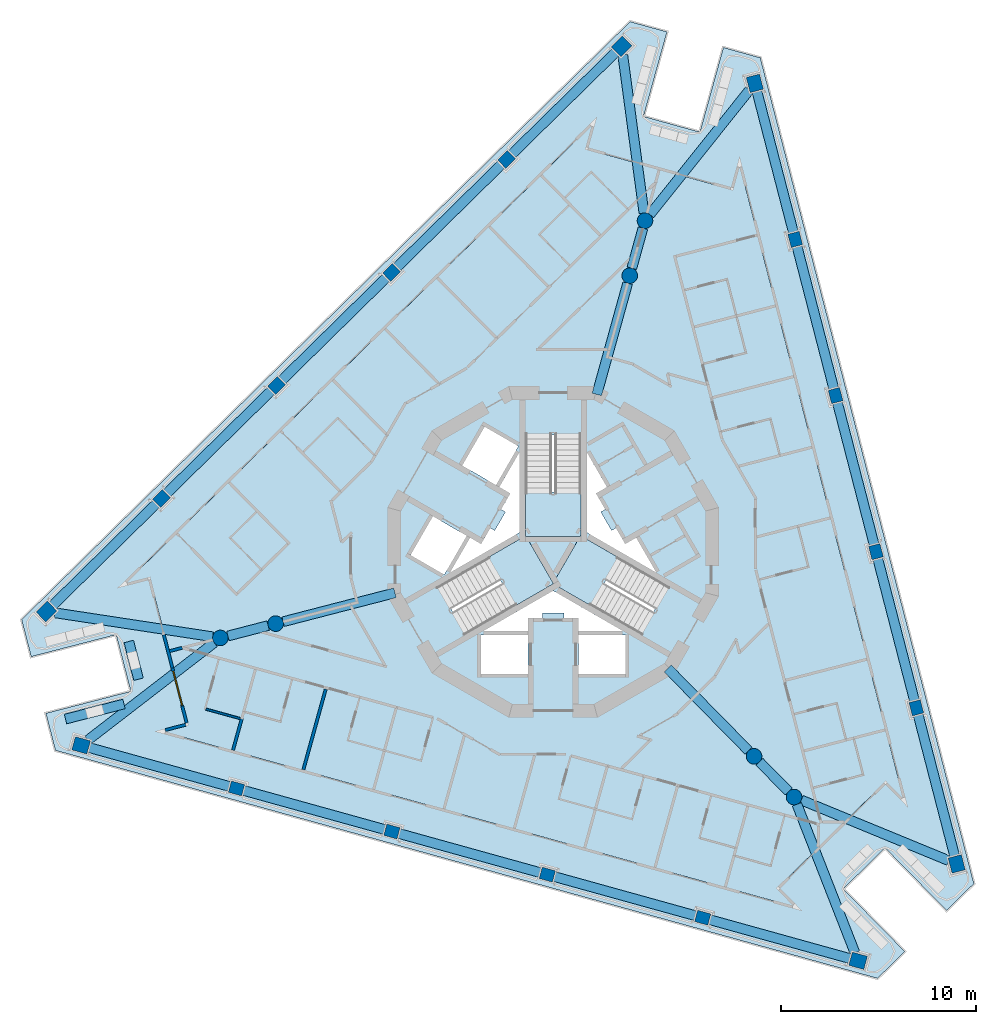
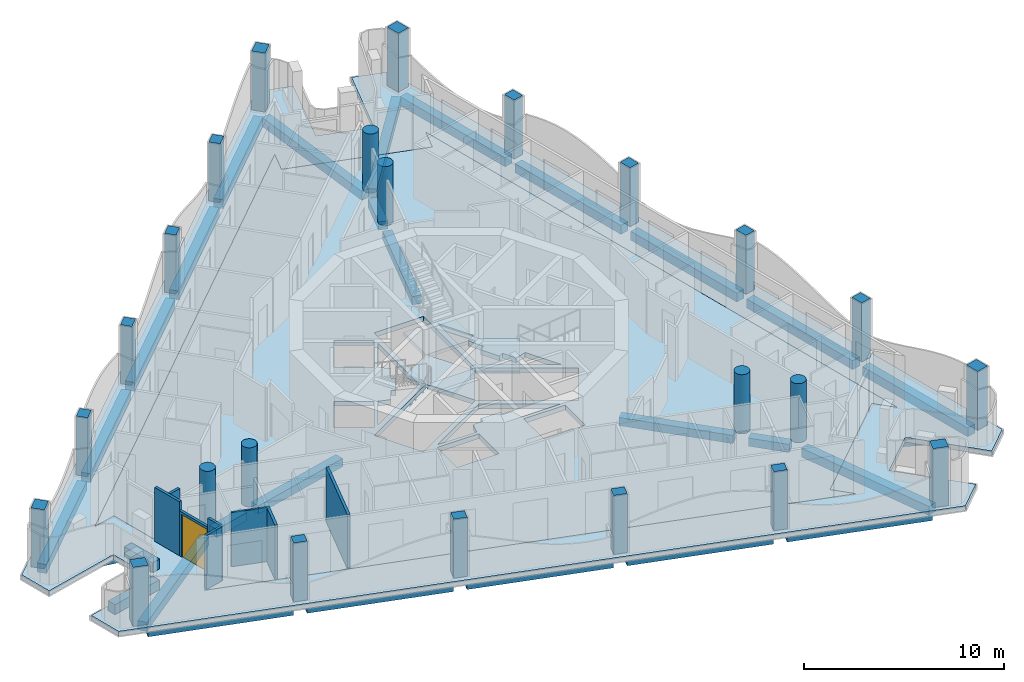
# One storey, part 1 of 15: 27 beams, 24 columns, 10 walls, 6 slabs, 1 door, 1 opening, 3 elements without a shape of their own.
"""IFC4 building model written with IfcOpenShell, lengths in metres."""

from ifc_helpers import new_model, si_unit, direction, frame, frame_2d, origin, origin_2d, place, context, subcontext, project, spatial, polyline, rectangle, circle, outline, extrude, material, layer, layer_set, material_profile, profile_set, type_object, element, fill, aggregate, save


model = new_model("IFC4")

# Units and contexts
model_context = context("Model", 3, precision=1e-05, world=origin(), true_north=direction((0.0, 1.0)))
body_context = subcontext(model_context, "Body", "Model", "MODEL_VIEW")
ifc_project = project(units=[si_unit("LENGTHUNIT", "METRE"), si_unit("AREAUNIT", "SQUARE_METRE"), si_unit("VOLUMEUNIT", "CUBIC_METRE"), si_unit("PLANEANGLEUNIT", "RADIAN"), si_unit("MASSUNIT", "GRAM", prefix="KILO")], contexts=[model_context])

# Site, building, storey
site_placement = place(None, origin())
site = spatial("IfcSite", under=ifc_project, at=site_placement, CompositionType="ELEMENT")
building_placement = place(site_placement, origin())
building = spatial("IfcBuilding", under=site, at=building_placement, Name="Trine Commons Tower", CompositionType="ELEMENT")
storey_placement = place(building_placement, frame((0.0, 0.0, 256.5)))
storey = spatial("IfcBuildingStorey", under=building, at=storey_placement, Name="L67", CompositionType="ELEMENT", Elevation=256.5)

# Columns
ifc_material_1 = material(Name="Concrete C50/60", Category="concrete")
ifc_material_profile_1 = material_profile(ifc_material_1, rectangle(XDim=0.699951171875, YDim=0.60009765625, at=origin_2d()), Name="RC 700x600")
ifc_profile_set_1 = profile_set([ifc_material_profile_1], Name="Concrete C50/60")
column_type_1 = type_object("IfcColumnType", Name="RC column 700x600, C50/60", PredefinedType="COLUMN", material=ifc_profile_set_1)
for number, where, z_axis, x_axis, name in (
    (1, (87.668701171875, 43.74072265625, 0.0), (0.0, 0.0, 1.0), (-0.963630453209, 0.267238376078, 0.0), "Column PC7-02 L67"),
    (2, (79.70068359375, 45.950439453125, 0.0), (0.0, 0.0, 1.0), (-0.963630453209, 0.267238376078, 0.0), "Column PC7-03 L67"),
    (3, (71.73291015625, 48.16015625, 0.0), (0.0, 0.0, 1.0), (-0.963630453209, 0.267238376078, 0.0), "Column PC7-04 L67"),
    (4, (63.764892578125, 50.369873046875, 0.0), (0.0, 0.0, 1.0), (-0.963630453209, 0.267238376078, 0.0), "Column PC7-05 L67"),
    (5, (59.91943359375, 65.23828125, 0.0), (0.0, 0.0, 1.0), (0.713250449154, 0.7009092643, 0.0), "Column PC7-08 L67"),
    (6, (65.817138671875, 71.033935546875, 0.0), (0.0, 0.0, 1.0), (0.713250449154, 0.7009092643, 0.0), "Column PC7-09 L67"),
    (7, (71.71484375, 76.82958984375, 0.0), (0.0, 0.0, 1.0), (0.713250449154, 0.7009092643, 0.0), "Column PC7-10 L67"),
    (8, (77.612548828125, 82.625244140625, 0.0), (0.0, 0.0, 1.0), (0.713250449154, 0.7009092643, 0.0), "Column PC7-11 L67"),
    (9, (92.41162109375, 78.52099609375, 0.0), (0.0, 0.0, 1.0), (-0.250380004054, 0.968147640378, 0.0), "Column PC7-14 L67"),
    (10, (94.48193359375, 70.515625, 0.0), (0.0, 0.0, 1.0), (-0.250380004054, 0.968147640378, 0.0), "Column PC7-15 L67"),
    (11, (96.55224609375, 62.51025390625, 0.0), (0.0, 0.0, 1.0), (-0.250380004054, 0.968147640378, 0.0), "Column PC7-16 L67"),
    (12, (98.622802734375, 54.5048828125, 0.0), (0.0, 0.0, 1.0), (-0.250380004054, 0.968147640378, 0.0), "Column PC7-17 L67"),
):
    element("IfcColumn", number, at=place(storey_placement, frame(where, z_axis=z_axis, x_axis=x_axis)), inside=storey, type_object=column_type_1, Name=name, PredefinedType="COLUMN", context=body_context, shape_type="SweptSolid", body=[
        extrude(rectangle(XDim=0.699951171875, YDim=0.60009765625, at=origin_2d()), origin(), (0.0, 0.0, 1.0), 3.60009765625),
    ])
ifc_material_profile_2 = material_profile(ifc_material_1, rectangle(XDim=0.800048828125, YDim=0.699951171875, at=origin_2d()), Name="RC 800x700")
ifc_profile_set_2 = profile_set([ifc_material_profile_2], Name="Concrete C50/60")
column_type_2 = type_object("IfcColumnType", Name="RC column 800x700, C50/60", PredefinedType="COLUMN", material=ifc_profile_set_2)
for number, where, z_axis, x_axis, name in (
    (13, (95.63671875, 41.531005859375, 0.0), (0.0, 0.0, 1.0), (-0.963630453209, 0.267238376078, 0.0), "Column PC7-01 L67"),
    (14, (55.796875, 52.57958984375, 0.0), (0.0, 0.0, 1.0), (-0.963630453209, 0.267238376078, 0.0), "Column PC7-06 L67"),
    (15, (54.02197265625, 59.442626953125, 0.0), (0.0, 0.0, 1.0), (0.713250449154, 0.7009092643, 0.0), "Column PC7-07 L67"),
    (16, (83.51025390625, 88.4208984375, 0.0), (0.0, 0.0, 1.0), (0.713250449154, 0.7009092643, 0.0), "Column PC7-12 L67"),
    (17, (90.34130859375, 86.5263671875, 0.0), (0.0, 0.0, 1.0), (-0.250380004054, 0.968147640378, 0.0), "Column PC7-13 L67"),
    (18, (100.693115234375, 46.499755859375, 0.0), (0.0, 0.0, 1.0), (-0.250380004054, 0.968147640378, 0.0), "Column PC7-18 L67"),
):
    element("IfcColumn", number, at=place(storey_placement, frame(where, z_axis=z_axis, x_axis=x_axis)), inside=storey, type_object=column_type_2, Name=name, PredefinedType="COLUMN", context=body_context, shape_type="SweptSolid", body=[
        extrude(rectangle(XDim=0.800048828125, YDim=0.699951171875, at=origin_2d()), origin(), (0.0, 0.0, 1.0), 3.60009765625),
    ])
ifc_material_profile_3 = material_profile(ifc_material_1, circle(Radius=0.39990234375, at=origin_2d()), Name="RC round 800")
ifc_profile_set_3 = profile_set([ifc_material_profile_3], Name="Concrete C50/60")
column_type_3 = type_object("IfcColumnType", Name="RC round column 800 mm, C50/60", PredefinedType="COLUMN", material=ifc_profile_set_3)
for number, where, z_axis, x_axis, name in (
    (19, (90.301513671875, 52.01708984375, 0.0), (0.0, 0.0, 1.0), (1.0, 0.0, 0.0), "Column WC7-1 L67"),
    (20, (92.352783203125, 49.9296875, 0.0), (0.0, 0.0, 1.0), (1.0, 0.0, 0.0), "Column WC7-2 L67"),
    (21, (83.927734375, 76.66259765625, 0.0), (0.0, 0.0, 1.0), (1.0, 0.0, 0.0), "Column WC7-3 L67"),
    (22, (84.709716796875, 79.48291015625, 0.0), (0.0, 0.0, 1.0), (1.0, 0.0, 0.0), "Column WC7-4 L67"),
    (23, (65.77099609375, 58.820068359375, 0.0), (0.0, 0.0, 1.0), (1.0, 0.0, 0.0), "Column WC7-5 L67"),
    (24, (62.9375, 58.08740234375, 0.0), (0.0, 0.0, 1.0), (1.0, 0.0, 0.0), "Column WC7-6 L67"),
):
    element("IfcColumn", number, at=place(storey_placement, frame(where, z_axis=z_axis, x_axis=x_axis)), inside=storey, type_object=column_type_3, Name=name, PredefinedType="COLUMN", context=body_context, shape_type="SweptSolid", body=[
        extrude(circle(Radius=0.39990234375, at=origin_2d()), origin(), (0.0, 0.0, 1.0), 3.60009765625),
    ])

# Beams
ifc_material_2 = material(Name="Concrete C40/50", Category="concrete")
ifc_material_profile_4 = material_profile(ifc_material_2, rectangle(XDim=0.5, YDim=0.5, at=origin_2d()), Name="RC 500x500")
ifc_profile_set_4 = profile_set([ifc_material_profile_4], Name="Concrete C40/50")
beam_type_1 = type_object("IfcBeamType", Name="RC beam 500x500, C40/50", PredefinedType="BEAM", material=ifc_profile_set_4)
beam_1_placement = place(storey_placement, frame((85.87353515625, 56.523193359375, -0.550048828125), z_axis=(0.700890997639, -0.713268399292, 0.0), x_axis=(0.713268399292, 0.700890997639, 0.0)))
element("IfcBeam", 25, at=beam_1_placement, inside=storey, type_object=beam_type_1, Name="Beam RB7-01 L67", PredefinedType="BEAM", context=body_context, shape_type="SweptSolid", body=[
    extrude(rectangle(XDim=0.5, YDim=0.5, at=origin_2d()), origin(), (0.0, 0.0, 1.0), 5.91748046875),
])
beam_2_placement = place(storey_placement, frame((90.581787109375, 51.73193359375, -0.550048828125), z_axis=(0.70093857454, -0.713221644877, 0.0), x_axis=(0.713221644877, 0.70093857454, 0.0)))
element("IfcBeam", 26, at=beam_2_placement, inside=storey, type_object=beam_type_1, Name="Beam RB7-02 L67", PredefinedType="BEAM", context=body_context, shape_type="SweptSolid", body=[
    extrude(rectangle(XDim=0.5, YDim=0.5, at=origin_2d()), origin(), (0.0, 0.0, 1.0), 2.126708984375),
])
beam_3_placement = place(storey_placement, frame((82.239501953125, 70.574951171875, -0.550048828125), z_axis=(0.267209770713, 0.963638385721, 0.0), x_axis=(-0.963638385721, 0.267209770713, 0.0)))
element("IfcBeam", 27, at=beam_3_placement, inside=storey, type_object=beam_type_1, Name="Beam RB7-03 L67", PredefinedType="BEAM", context=body_context, shape_type="SweptSolid", body=[
    extrude(rectangle(XDim=0.5, YDim=0.5, at=origin_2d()), origin(), (0.0, 0.0, 1.0), 5.917724609375),
])
beam_4_placement = place(storey_placement, frame((84.034423828125, 77.0478515625, -0.550048828125), z_axis=(0.267270963033, 0.963621415453, 0.0), x_axis=(-0.963621415453, 0.267270963033, 0.0)))
element("IfcBeam", 28, at=beam_4_placement, inside=storey, type_object=beam_type_1, Name="Beam RB7-04 L67", PredefinedType="BEAM", context=body_context, shape_type="SweptSolid", body=[
    extrude(rectangle(XDim=0.5, YDim=0.5, at=origin_2d()), origin(), (0.0, 0.0, 1.0), 2.12744140625),
])
beam_5_placement = place(storey_placement, frame((71.88720703125, 60.40185546875, -0.550048828125), z_axis=(-0.968150015074, -0.250370821607, 0.0), x_axis=(0.250370821607, -0.968150015074, 0.0)))
element("IfcBeam", 29, at=beam_5_placement, inside=storey, type_object=beam_type_1, Name="Beam RB7-05 L67", PredefinedType="BEAM", context=body_context, shape_type="SweptSolid", body=[
    extrude(rectangle(XDim=0.5, YDim=0.5, at=origin_2d()), origin(), (0.0, 0.0, 1.0), 5.91796875),
])
beam_6_placement = place(storey_placement, frame((65.384033203125, 58.72021484375, -0.550048828125), z_axis=(-0.968118610388, -0.250492227863, 0.0), x_axis=(0.250492227863, -0.968118610388, 0.0)))
element("IfcBeam", 30, at=beam_6_placement, inside=storey, type_object=beam_type_1, Name="Beam RB7-06 L67", PredefinedType="BEAM", context=body_context, shape_type="SweptSolid", body=[
    extrude(rectangle(XDim=0.5, YDim=0.5, at=origin_2d()), origin(), (0.0, 0.0, 1.0), 2.127685546875),
])
ifc_material_profile_5 = material_profile(ifc_material_2, rectangle(XDim=0.5, YDim=0.550048828125, at=origin_2d()), Name="RC 500x550")
ifc_profile_set_5 = profile_set([ifc_material_profile_5], Name="Concrete C40/50")
beam_type_2 = type_object("IfcBeamType", Name="RC beam 500x550, C40/50", PredefinedType="BEAM", material=ifc_profile_set_5)
beam_7_placement = place(storey_placement, frame((95.251220703125, 41.6376953125, -0.574951171875), z_axis=(-0.963621113681, 0.267272051042, 0.0), x_axis=(-0.267272051042, -0.963621113681, 0.0)))
element("IfcBeam", 31, at=beam_7_placement, inside=storey, type_object=beam_type_2, Name="Beam EB7-01 L67", PredefinedType="BEAM", context=body_context, shape_type="SweptSolid", body=[
    extrude(rectangle(XDim=0.5, YDim=0.550048828125, at=origin_2d()), origin(), (0.0, 0.0, 1.0), 7.5185546875),
])
for number, where, z_axis, x_axis, name in (
    (32, (87.33154296875, 43.834228515625, -0.574951171875), (-0.963628737279, 0.267244563445, 0.0), (-0.267244563445, -0.963628737279, 0.0), "Beam EB7-02 L67"),
    (33, (79.363525390625, 46.0439453125, -0.574951171875), (-0.963628737279, 0.267244563445, 0.0), (-0.267244563445, -0.963628737279, 0.0), "Beam EB7-03 L67"),
    (34, (71.3955078125, 48.253662109375, -0.574951171875), (-0.963628737279, 0.267244563445, 0.0), (-0.267244563445, -0.963628737279, 0.0), "Beam EB7-04 L67"),
):
    element("IfcBeam", number, at=place(storey_placement, frame(where, z_axis=z_axis, x_axis=x_axis)), inside=storey, type_object=beam_type_2, Name=name, PredefinedType="BEAM", context=body_context, shape_type="SweptSolid", body=[
        extrude(rectangle(XDim=0.5, YDim=0.550048828125, at=origin_2d()), origin(), (0.0, 0.0, 1.0), 7.56884765625),
    ])
for number, where, z_axis, x_axis, name in (
    (35, (63.427490234375, 50.46337890625, -0.574951171875), (-0.963629476257, 0.267241898827, 0.0), (-0.267241898827, -0.963629476257, 0.0), "Beam EB7-05 L67"),
    (36, (54.30712890625, 59.72314453125, -0.574951171875), (0.713265514722, 0.700893933137, 0.0), (-0.700893933137, 0.713265514722, 0.0), "Beam EB7-06 L67"),
):
    element("IfcBeam", number, at=place(storey_placement, frame(where, z_axis=z_axis, x_axis=x_axis)), inside=storey, type_object=beam_type_2, Name=name, PredefinedType="BEAM", context=body_context, shape_type="SweptSolid", body=[
        extrude(rectangle(XDim=0.5, YDim=0.550048828125, at=origin_2d()), origin(), (0.0, 0.0, 1.0), 7.5185546875),
    ])
for number, where, z_axis, x_axis, name in (
    (37, (60.169189453125, 65.483642578125, -0.574951171875), (0.713256929801, 0.700902669485, 0.0), (-0.700902669485, 0.713256929801, 0.0), "Beam EB7-07 L67"),
    (38, (66.06689453125, 71.279296875, -0.574951171875), (0.713256929801, 0.700902669485, 0.0), (-0.700902669485, 0.713256929801, 0.0), "Beam EB7-08 L67"),
    (39, (71.964599609375, 77.074951171875, -0.574951171875), (0.713241082752, 0.700918795492, 0.0), (-0.700918795492, 0.713241082752, 0.0), "Beam EB7-09 L67"),
):
    element("IfcBeam", number, at=place(storey_placement, frame(where, z_axis=z_axis, x_axis=x_axis)), inside=storey, type_object=beam_type_2, Name=name, PredefinedType="BEAM", context=body_context, shape_type="SweptSolid", body=[
        extrude(rectangle(XDim=0.5, YDim=0.550048828125, at=origin_2d()), origin(), (0.0, 0.0, 1.0), 7.568603515625),
    ])
beam_8_placement = place(storey_placement, frame((77.862060546875, 82.87060546875, -0.574951171875), z_axis=(0.713265514722, 0.700893933137, 0.0), x_axis=(-0.700893933137, 0.713265514722, 0.0)))
element("IfcBeam", 40, at=beam_8_placement, inside=storey, type_object=beam_type_2, Name="Beam EB7-10 L67", PredefinedType="BEAM", context=body_context, shape_type="SweptSolid", body=[
    extrude(rectangle(XDim=0.5, YDim=0.550048828125, at=origin_2d()), origin(), (0.0, 0.0, 1.0), 7.5185546875),
])
beam_9_placement = place(storey_placement, frame((90.441650390625, 86.13916015625, -0.574951171875), z_axis=(0.250381772483, -0.96814718303, 0.0), x_axis=(0.96814718303, 0.250381772483, 0.0)))
element("IfcBeam", 41, at=beam_9_placement, inside=storey, type_object=beam_type_2, Name="Beam EB7-11 L67", PredefinedType="BEAM", context=body_context, shape_type="SweptSolid", body=[
    extrude(rectangle(XDim=0.5, YDim=0.550048828125, at=origin_2d()), origin(), (0.0, 0.0, 1.0), 7.518798828125),
])
for number, where, z_axis, x_axis, name in (
    (42, (92.499267578125, 78.18212890625, -0.574951171875), (0.250375524013, -0.968148798985, 0.0), (0.968148798985, 0.250375524013, 0.0), "Beam EB7-12 L67"),
    (43, (94.569580078125, 70.1767578125, -0.574951171875), (0.250375524013, -0.968148798985, 0.0), (0.968148798985, 0.250375524013, 0.0), "Beam EB7-13 L67"),
    (44, (96.639892578125, 62.17138671875, -0.574951171875), (0.250413578195, -0.968138956894, 0.0), (0.968138956894, 0.250413578195, 0.0), "Beam EB7-14 L67"),
):
    element("IfcBeam", number, at=place(storey_placement, frame(where, z_axis=z_axis, x_axis=x_axis)), inside=storey, type_object=beam_type_2, Name=name, PredefinedType="BEAM", context=body_context, shape_type="SweptSolid", body=[
        extrude(rectangle(XDim=0.5, YDim=0.550048828125, at=origin_2d()), origin(), (0.0, 0.0, 1.0), 7.568603515625),
    ])
beam_10_placement = place(storey_placement, frame((98.710205078125, 54.166015625, -0.574951171875), z_axis=(0.250389643834, -0.96814514731, 0.0), x_axis=(0.96814514731, 0.250389643834, 0.0)))
element("IfcBeam", 45, at=beam_10_placement, inside=storey, type_object=beam_type_2, Name="Beam EB7-15 L67", PredefinedType="BEAM", context=body_context, shape_type="SweptSolid", body=[
    extrude(rectangle(XDim=0.5, YDim=0.550048828125, at=origin_2d()), origin(), (0.0, 0.0, 1.0), 7.5185546875),
])
beam_11_placement = place(storey_placement, frame((56.143310546875, 52.8466796875, -0.574951171875), z_axis=(0.79181565557, 0.610760155539, 0.0), x_axis=(-0.610760155539, 0.79181565557, 0.0)))
element("IfcBeam", 46, at=beam_11_placement, inside=storey, type_object=beam_type_2, Name="Beam CB7-01 L67", PredefinedType="BEAM", context=body_context, shape_type="SweptSolid", body=[
    extrude(rectangle(XDim=0.5, YDim=0.550048828125, at=origin_2d()), origin(), (0.0, 0.0, 1.0), 8.180908203125),
])
for number, where, z_axis, x_axis, name in (
    (47, (54.454345703125, 59.376953125, -0.574951171875), (0.98863822303, -0.150314550074, 0.0), (0.150314550074, 0.98863822303, 0.0), "Beam CB7-02 L67"),
    (48, (83.568359375, 87.9873046875, -0.574951171875), (0.1330354713, -0.99111127699, 0.0), (0.99111127699, 0.1330354713, 0.0), "Beam CB7-03 L67"),
):
    element("IfcBeam", number, at=place(storey_placement, frame(where, z_axis=z_axis, x_axis=x_axis)), inside=storey, type_object=beam_type_2, Name=name, PredefinedType="BEAM", context=body_context, shape_type="SweptSolid", body=[
        extrude(rectangle(XDim=0.5, YDim=0.550048828125, at=origin_2d()), origin(), (0.0, 0.0, 1.0), 8.18115234375),
    ])
beam_12_placement = place(storey_placement, frame((90.068115234375, 86.184814453125, -0.574951171875), z_axis=(-0.624465738686, -0.781052201333, 0.0), x_axis=(0.781052201333, -0.624465738686, 0.0)))
element("IfcBeam", 49, at=beam_12_placement, inside=storey, type_object=beam_type_2, Name="Beam CB7-04 L67", PredefinedType="BEAM", context=body_context, shape_type="SweptSolid", body=[
    extrude(rectangle(XDim=0.5, YDim=0.550048828125, at=origin_2d()), origin(), (0.0, 0.0, 1.0), 8.180908203125),
])
beam_13_placement = place(storey_placement, frame((100.28857421875, 46.666015625, -0.574951171875), z_axis=(-0.924841797532, 0.380352007407, 0.0), x_axis=(-0.380352007407, -0.924841797532, 0.0)))
element("IfcBeam", 50, at=beam_13_placement, inside=storey, type_object=beam_type_2, Name="Beam CB7-05 L67", PredefinedType="BEAM", context=body_context, shape_type="SweptSolid", body=[
    extrude(rectangle(XDim=0.5, YDim=0.550048828125, at=origin_2d()), origin(), (0.0, 0.0, 1.0), 8.1806640625),
])
beam_14_placement = place(storey_placement, frame((95.4775390625, 41.938232421875, -0.574951171875), z_axis=(-0.36416079705, 0.931336090727, 0.0), x_axis=(-0.931336090727, -0.36416079705, 0.0)))
element("IfcBeam", 51, at=beam_14_placement, inside=storey, type_object=beam_type_2, Name="Beam CB7-06 L67", PredefinedType="BEAM", context=body_context, shape_type="SweptSolid", body=[
    extrude(rectangle(XDim=0.5, YDim=0.550048828125, at=origin_2d()), origin(), (0.0, 0.0, 1.0), 8.18115234375),
])

# Slabs
ifc_layer_1 = layer(ifc_material_2, 0.300048828125)
ifc_layer_set_1 = layer_set([ifc_layer_1], Name="Concrete C40/50")
slab_type_1 = type_object("IfcSlabType", Name="Loggia slab 300 mm, C40/50", PredefinedType="FLOOR", material=ifc_layer_set_1)
slab_1_placement = place(storey_placement, frame((0.0, 0.0, -0.300048828125)))
element("IfcSlab", 52, at=slab_1_placement, inside=storey, type_object=slab_type_1, Name="Loggia slab L67", PredefinedType="FLOOR", context=body_context, shape_type="SweptSolid", body=[
    extrude(outline(polyline([(101.57421875, 45.488037109375), (90.621826171875, 87.83837890625), (88.72900390625, 88.36328125), (87.526611328125, 84.02685546875), (84.6357421875, 84.82861328125), (85.838134765625, 89.1650390625), (83.945556640625, 89.68994140625), (52.745361328125, 59.029541015625), (53.2373046875, 57.1279296875), (57.593994140625, 58.254638671875), (58.344970703125, 55.350341796875), (53.98828125, 54.2236328125), (54.47998046875, 52.322021484375), (96.6328125, 40.632080078125), (98.03369140625, 42.0087890625), (94.879638671875, 45.218505859375), (97.019287109375, 47.321044921875), (100.17333984375, 44.111572265625), (101.57421875, 45.488037109375)]), holes=[polyline([(59.31640625, 61.17919921875), (61.26953125, 53.627685546875), (59.96728515625, 53.291015625), (92.42822265625, 44.28857421875), (91.485595703125, 45.248046875), (97.048828125, 50.715087890625), (97.99169921875, 49.755615234375), (89.557373046875, 82.368896484375), (89.197998046875, 81.07275390625), (81.681640625, 83.1572265625), (82.041015625, 84.453369140625), (58.014404296875, 60.84228515625), (59.31640625, 61.17919921875)])]), origin(), (0.0, 0.0, 1.0), 0.300048828125),
])
ifc_layer_2 = layer(ifc_material_2, 0.300048828125)
ifc_layer_set_2 = layer_set([ifc_layer_2], Name="Concrete C40/50")
slab_type_2 = type_object("IfcSlabType", Name="PT flat slab 300 mm, C40/50", PredefinedType="FLOOR", material=ifc_layer_set_2)
slab_2_placement = place(storey_placement, frame((0.0, 0.0, -0.300048828125)))
element("IfcSlab", 53, at=slab_2_placement, inside=storey, type_object=slab_type_2, Name="Floor slab L67", PredefinedType="FLOOR", context=body_context, shape_type="SweptSolid", body=[
    extrude(outline(polyline([(58.014404296875, 60.84228515625), (59.31640625, 61.17919921875), (61.26953125, 53.627685546875), (59.96728515625, 53.291015625), (92.42822265625, 44.28857421875), (91.485595703125, 45.248046875), (97.048828125, 50.715087890625), (97.99169921875, 49.755615234375), (89.557373046875, 82.368896484375), (89.197998046875, 81.07275390625), (81.681640625, 83.1572265625), (82.041015625, 84.453369140625), (58.014404296875, 60.84228515625)]), holes=[polyline([(78.699951171875, 56.25), (78.699951171875, 58.25), (76.300048828125, 58.25), (76.300048828125, 56.25), (78.699951171875, 56.25)]), polyline([(83.699951171875, 56.25), (83.699951171875, 58.25), (81.300048828125, 58.25), (81.300048828125, 56.25), (83.699951171875, 56.25)]), polyline([(81.300048828125, 58.449951171875), (83.56494140625, 58.449951171875), (80.0, 60.508056640625), (76.43505859375, 58.449951171875), (78.699951171875, 58.449951171875), (78.85009765625, 59.10009765625), (79.449951171875, 59.10009765625), (79.449951171875, 59.360107421875), (80.550048828125, 59.360107421875), (80.550048828125, 59.10009765625), (81.14990234375, 59.10009765625), (81.300048828125, 58.449951171875)]), polyline([(81.425048828125, 63.32275390625), (81.425048828125, 68.490478515625), (78.574951171875, 68.490478515625), (78.574951171875, 63.32275390625), (74.099609375, 60.73876953125), (75.5244140625, 58.2705078125), (80.0, 60.8544921875), (84.4755859375, 58.2705078125), (85.900390625, 60.73876953125), (81.425048828125, 63.32275390625)]), polyline([(72.687255859375, 62.333984375), (74.41943359375, 61.333984375), (75.5693359375, 63.325927734375), (73.83740234375, 64.325927734375), (72.687255859375, 62.333984375)]), polyline([(76.381103515625, 63.031005859375), (75.742919921875, 63.22607421875), (74.7099609375, 61.43798828125), (78.27490234375, 63.49609375), (78.27490234375, 67.612060546875), (77.242919921875, 65.823974609375), (77.73095703125, 65.368896484375), (77.3310546875, 64.676025390625), (77.555908203125, 64.5458984375), (77.006103515625, 63.593994140625), (76.781005859375, 63.722900390625), (76.381103515625, 63.031005859375)]), polyline([(82.993896484375, 63.593994140625), (82.444091796875, 64.5458984375), (82.72705078125, 64.7099609375), (82.281005859375, 65.549072265625), (82.757080078125, 65.823974609375), (81.72509765625, 67.612060546875), (81.72509765625, 63.49609375), (85.2900390625, 61.43798828125), (84.257080078125, 63.22607421875), (83.618896484375, 63.031005859375), (83.243896484375, 63.738037109375), (82.993896484375, 63.593994140625)]), polyline([(76.4873046875, 68.916015625), (75.33740234375, 66.924072265625), (77.0693359375, 65.924072265625), (78.219482421875, 67.916015625), (76.4873046875, 68.916015625)])]), origin(), (0.0, 0.0, 1.0), 0.300048828125),
])
slab_3_placement = place(storey_placement, frame((0.0, 0.0, -0.300048828125)))
element("IfcSlab", 54, at=slab_3_placement, inside=storey, type_object=slab_type_2, Name="Floor slab L67 2", PredefinedType="FLOOR", context=body_context, shape_type="SweptSolid", body=[
    extrude(outline(polyline([(81.38671875, 63.300537109375), (78.61328125, 63.300537109375), (80.0, 60.89892578125), (81.38671875, 63.300537109375)])), origin(), (0.0, 0.0, 1.0), 0.300048828125),
])

# Stair, slab
stair_type = type_object("IfcStairType", Name="Exit stair, dog-leg, 24 risers of 150 mm", PredefinedType="HALF_TURN_STAIR", material=ifc_material_1)
stair_1_placement = place(storey_placement, origin())
stair_1 = element("IfcStair", 55, at=stair_1_placement, inside=storey, type_object=stair_type, Name="L67 Exit stair ST1C", PredefinedType="HALF_TURN_STAIR")
ifc_layer_3 = layer(ifc_material_1, 0.199951171875)
ifc_layer_set_3 = layer_set([ifc_layer_3], Name="Concrete C50/60")
slab_type_3 = type_object("IfcSlabType", Name="Stair landing slab 200 mm, C50/60", PredefinedType="LANDING", material=ifc_layer_set_3)
slab_4_placement = place(storey_placement, frame((0.0, 0.0, 1.60009765625)))
slab_4 = element("IfcSlab", 56, at=slab_4_placement, type_object=slab_type_3, Name="ST1C landing 1", PredefinedType="LANDING", context=body_context, shape_type="SweptSolid", body=[
    extrude(outline(polyline([(78.574951171875, 65.570556640625), (78.574951171875, 63.300537109375), (81.425048828125, 63.300537109375), (81.425048828125, 65.570556640625), (78.574951171875, 65.570556640625)])), origin(), (0.0, 0.0, 1.0), 0.199951171875),
])
aggregate(stair_1, [slab_4])

stair_2_placement = place(storey_placement, origin())
stair_2 = element("IfcStair", 57, at=stair_2_placement, inside=storey, type_object=stair_type, Name="L67 Exit stair ST2C", PredefinedType="HALF_TURN_STAIR")
slab_5_placement = place(storey_placement, frame((0.0, 0.0, 1.60009765625)))
slab_5 = element("IfcSlab", 58, at=slab_5_placement, type_object=slab_type_3, Name="ST2C landing 1", PredefinedType="LANDING", context=body_context, shape_type="SweptSolid", body=[
    extrude(outline(polyline([(78.05322265625, 59.730712890625), (80.019287109375, 60.86572265625), (78.59423828125, 63.333740234375), (76.628173828125, 62.19873046875), (78.05322265625, 59.730712890625)])), origin(), (0.0, 0.0, 1.0), 0.199951171875),
])
aggregate(stair_2, [slab_5])

stair_3_placement = place(storey_placement, origin())
stair_3 = element("IfcStair", 59, at=stair_3_placement, inside=storey, type_object=stair_type, Name="L67 Exit stair ST3C", PredefinedType="HALF_TURN_STAIR")
slab_6_placement = place(storey_placement, frame((0.0, 0.0, 1.60009765625)))
slab_6 = element("IfcSlab", 60, at=slab_6_placement, type_object=slab_type_3, Name="ST3C landing 1", PredefinedType="LANDING", context=body_context, shape_type="SweptSolid", body=[
    extrude(outline(polyline([(83.371826171875, 62.19873046875), (81.40576171875, 63.333740234375), (79.980712890625, 60.86572265625), (81.94677734375, 59.730712890625), (83.371826171875, 62.19873046875)])), origin(), (0.0, 0.0, 1.0), 0.199951171875),
])
aggregate(stair_3, [slab_6])

# Walls
ifc_material_3 = material(Name="Aluminium-framed insulated wall panel", Category="aluminium")
ifc_layer_4 = layer(ifc_material_3, 0.14990234375)
ifc_layer_set_4 = layer_set([ifc_layer_4], Name="Aluminium-framed insulated wall panel")
wall_type_1 = type_object("IfcWallType", Name="Glazed frame wall 150, EI 60", PredefinedType="SOLIDWALL", material=ifc_layer_set_4)
wall_1_placement = place(storey_placement, frame((59.95849609375, 53.32470703125, 0.0), z_axis=(0.0, 0.0, 1.0), x_axis=(0.968124150503, 0.250470815091, 0.0)))
element("IfcWall", 61, at=wall_1_placement, inside=storey, type_object=wall_type_1, Name="Glazed frame wall R10", PredefinedType="SOLIDWALL", context=body_context, shape_type="SweptSolid", body=[
    extrude(outline(polyline([(0.1494140625, 0.074951171875), (0.1494140625, -0.074951171875), (1.235107421875, -0.074951171875), (1.235107421875, 0.074951171875), (0.1494140625, 0.074951171875)])), origin(), (0.0, 0.0, 1.0), 3.300048828125),
])
wall_2_placement = place(storey_placement, frame((61.235595703125, 53.618896484375, 0.0), z_axis=(0.0, 0.0, 1.0), x_axis=(-0.250513031832, 0.968113227305, 0.0)))
element("IfcWall", 62, at=wall_2_placement, inside=storey, type_object=wall_type_1, Name="Glazed frame wall P3.1", PredefinedType="SOLIDWALL", context=body_context, shape_type="SweptSolid", body=[
    extrude(outline(polyline([(0.110107421875, -0.074951171875), (1.0, -0.074951171875), (1.0, 0.074951171875), (0.110107421875, 0.074951171875), (0.110107421875, -0.074951171875)])), origin(), (0.0, 0.0, 1.0), 3.300048828125),
])

# Wall, opening, door
wall_3_placement = place(storey_placement, frame((60.985107421875, 54.5869140625, 0.0), z_axis=(0.0, 0.0, 1.0), x_axis=(-0.250371111039, 0.968149940225, 0.0)))
wall_3 = element("IfcWall", 63, at=wall_3_placement, inside=storey, type_object=wall_type_1, Name="Glazed frame wall P3.2", PredefinedType="SOLIDWALL", context=body_context, shape_type="SweptSolid", body=[
    extrude(outline(polyline([(0.0, -0.074951171875), (2.021484375, -0.074951171875), (2.021484375, 0.074951171875), (0.0, 0.074951171875), (0.0, -0.074951171875)])), origin(), (0.0, 0.0, 1.0), 2.75),
])
opening_placement = place(wall_3_placement, frame((0.050048828125, 0.0, 0.0)))
opening = element("IfcOpeningElement", 64, at=opening_placement, cuts=wall_3, Name="Opening BD-7P3-01", PredefinedType="OPENING", context=body_context, shape_type="SweptSolid", body=[
    extrude(rectangle(XDim=1.800048828125, YDim=2.60009765625, at=frame_2d((0.89990234375, 1.300048828125))), frame((0.0, 0.0849609375, 0.0), z_axis=(0.0, -1.0, 0.0), x_axis=(1.0, 0.0, 0.0)), (0.0, 0.0, 1.0), 0.169921875),
])
ifc_material_4 = material(Name="Anodised aluminium frame with double glazing", Category="aluminium")
door_type = type_object("IfcDoorType", Name="Sliding loggia door 1800x2600", OperationType="SLIDING_TO_LEFT", PredefinedType="DOOR", material=ifc_material_4)
door_placement = place(opening_placement, origin())
door = element("IfcDoor", 65, at=door_placement, inside=storey, type_object=door_type, Name="Loggia door P3 1", OperationType="SLIDING_TO_LEFT", OverallHeight=2.60009765625, OverallWidth=1.800048828125, PredefinedType="DOOR", context=body_context, shape_type="SweptSolid", body=[
    extrude(rectangle(XDim=1.800048828125, YDim=2.60009765625, at=frame_2d((0.89990234375, 1.300048828125))), frame((0.0, 0.02490234375, 0.0), z_axis=(0.0, -1.0, 0.0), x_axis=(1.0, 0.0, 0.0)), (0.0, 0.0, 1.0), 0.050048828125),
])
fill(opening, door)

# Walls
wall_4_placement = place(storey_placement, frame((60.47900390625, 56.5439453125, 0.0), z_axis=(0.0, 0.0, 1.0), x_axis=(-0.250373840462, 0.968149234371, 0.0)))
element("IfcWall", 66, at=wall_4_placement, inside=storey, type_object=wall_type_1, Name="Glazed frame wall P3.3", PredefinedType="SOLIDWALL", context=body_context, shape_type="SweptSolid", body=[
    extrude(outline(polyline([(0.0, -0.074951171875), (1.757080078125, -0.074951171875), (1.757080078125, 0.074951171875), (0.0, 0.074951171875), (0.0, -0.074951171875)])), origin(), (0.0, 0.0, 1.0), 3.300048828125),
])
ifc_material_5 = material(Name="Planter trough, precast concrete C40/50", Category="concrete")
ifc_layer_5 = layer(ifc_material_5, 0.5)
ifc_layer_set_5 = layer_set([ifc_layer_5], Name="Planter trough, precast concrete C40/50")
wall_type_2 = type_object("IfcWallType", Name="Planter trough 500x600", PredefinedType="PARAPET", material=ifc_layer_set_5)
wall_5_placement = place(storey_placement, frame((54.994873046875, 53.92626953125, 0.0), z_axis=(0.0, 0.0, 1.0), x_axis=(0.968151190511, 0.250366276306, 0.0)))
element("IfcWall", 67, at=wall_5_placement, inside=storey, type_object=wall_type_2, Name="Planter 1", PredefinedType="PARAPET", context=body_context, shape_type="SweptSolid", body=[
    extrude(rectangle(XDim=3.099853515625, YDim=0.5, at=frame_2d((1.5498046875, 0.0))), origin(), (0.0, 0.0, 1.0), 0.60009765625),
])
wall_6_placement = place(storey_placement, frame((58.74267578125, 55.969482421875, 0.0), z_axis=(0.0, 0.0, 1.0), x_axis=(-0.250483427189, 0.968120887443, 0.0)))
element("IfcWall", 68, at=wall_6_placement, inside=storey, type_object=wall_type_2, Name="Planter 2", PredefinedType="PARAPET", context=body_context, shape_type="SweptSolid", body=[
    extrude(rectangle(XDim=2.0, YDim=0.5, at=frame_2d((1.0, 0.0))), origin(), (0.0, 0.0, 1.0), 0.60009765625),
])
ifc_material_6 = material(Name="Gypsum plasterboard on steel stud", Category="steel")
ifc_layer_6 = layer(ifc_material_6, 0.14990234375)
ifc_layer_set_6 = layer_set([ifc_layer_6], Name="Gypsum plasterboard on steel stud")
wall_type_3 = type_object("IfcWallType", Name="Unit and corridor wall 150 mm, EI 60", PredefinedType="PARTITIONING", material=ifc_layer_set_6)
wall_7_placement = place(storey_placement, frame((60.331787109375, 57.4130859375, 0.0), z_axis=(0.0, 0.0, 1.0), x_axis=(0.968209183311, 0.250141914426, 0.0)))
element("IfcWall", 69, at=wall_7_placement, inside=storey, type_object=wall_type_3, Name="Partition 001", PredefinedType="PARTITIONING", context=body_context, shape_type="SweptSolid", body=[
    extrude(rectangle(XDim=0.67138671875, YDim=0.14990234375, at=frame_2d((0.335693359375, 0.0))), origin(), (0.0, 0.0, 1.0), 3.300048828125),
])
wall_8_placement = place(storey_placement, frame((63.584716796875, 52.32958984375, 0.0), z_axis=(0.0, 0.0, 1.0), x_axis=(0.267092797629, 0.963670813844, 0.0)))
element("IfcWall", 70, at=wall_8_placement, inside=storey, type_object=wall_type_3, Name="Partition 010", PredefinedType="PARTITIONING", context=body_context, shape_type="SweptSolid", body=[
    extrude(rectangle(XDim=1.7138671875, YDim=0.14990234375, at=frame_2d((0.85693359375, 0.0))), origin(), (0.0, 0.0, 1.0), 3.300048828125),
])
wall_9_placement = place(storey_placement, frame((67.191650390625, 51.32861328125, 0.0), z_axis=(0.0, 0.0, 1.0), x_axis=(0.267270648008, 0.963621502828, 0.0)))
element("IfcWall", 71, at=wall_9_placement, inside=storey, type_object=wall_type_3, Name="Partition 020", PredefinedType="PARTITIONING", context=body_context, shape_type="SweptSolid", body=[
    extrude(rectangle(XDim=4.284912109375, YDim=0.14990234375, at=frame_2d((2.142578125, 0.0))), origin(), (0.0, 0.0, 1.0), 3.300048828125),
])
ifc_layer_7 = layer(ifc_material_6, 0.10009765625)
ifc_layer_set_7 = layer_set([ifc_layer_7], Name="Gypsum plasterboard on steel stud")
wall_type_4 = type_object("IfcWallType", Name="Unit partition 100 mm, no rating", PredefinedType="PARTITIONING", material=ifc_layer_set_7)
wall_10_placement = place(storey_placement, frame((62.197265625, 54.4365234375, 0.0), z_axis=(0.0, 0.0, 1.0), x_axis=(0.963650043194, -0.267167726816, 0.0)))
element("IfcWall", 72, at=wall_10_placement, inside=storey, type_object=wall_type_4, Name="Partition 006", PredefinedType="PARTITIONING", context=body_context, shape_type="SweptSolid", body=[
    extrude(rectangle(XDim=1.824951171875, YDim=0.10009765625, at=frame_2d((0.91259765625, 0.0))), origin(), (0.0, 0.0, 1.0), 3.300048828125),
])

save(model, "model.ifc")
